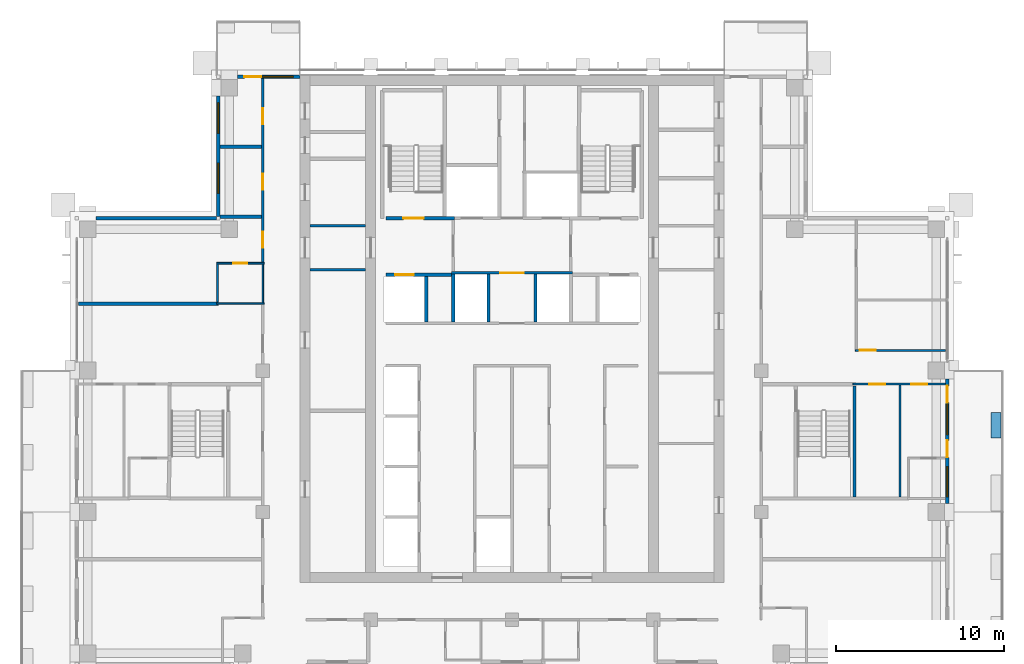
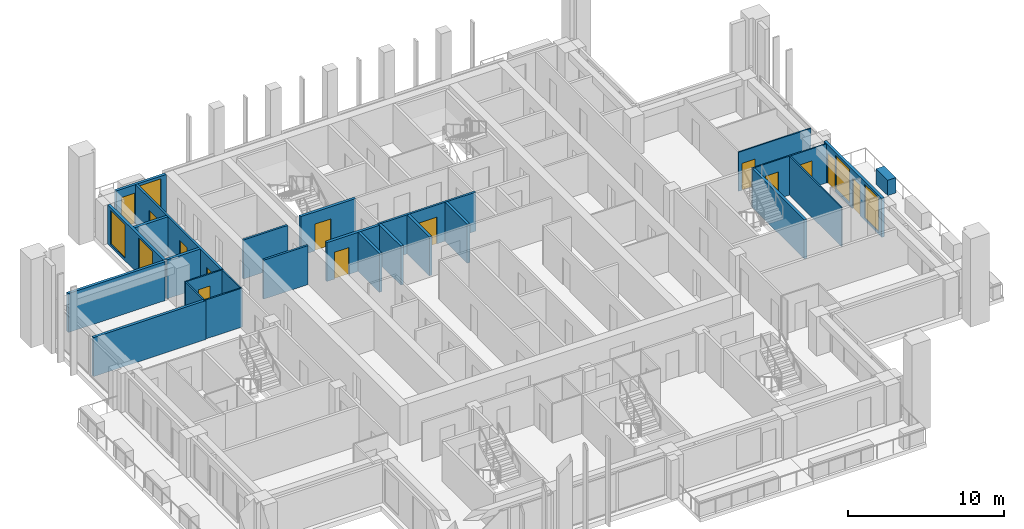
# One storey, part 12 of 18: 26 walls, 13 doors, 5 windows, 18 openings.
"""IFC4 building model written with IfcOpenShell, lengths in metres."""

from ifc_helpers import new_model, si_unit, direction, frame, frame_2d, origin, place, context, subcontext, project, spatial, rectangle, extrude, material, layer, layer_set, type_object, element, fill, save


model = new_model("IFC4")

# Units and contexts
model_context = context("Model", 3, precision=1e-05, world=origin(), true_north=direction((0.0, 1.0)))
body_context = subcontext(model_context, "Body", "Model", "MODEL_VIEW")
ifc_project = project(units=[si_unit("LENGTHUNIT", "METRE"), si_unit("AREAUNIT", "SQUARE_METRE"), si_unit("VOLUMEUNIT", "CUBIC_METRE"), si_unit("PLANEANGLEUNIT", "RADIAN"), si_unit("MASSUNIT", "GRAM", prefix="KILO")], contexts=[model_context])

# Site, building, storey
site_placement = place(None, origin())
site = spatial("IfcSite", under=ifc_project, at=site_placement, CompositionType="ELEMENT")
building_placement = place(site_placement, origin())
building = spatial("IfcBuilding", under=site, at=building_placement, Name="Vermilion Ogive Tower", CompositionType="ELEMENT")
storey_placement = place(building_placement, frame((0.0, 0.0, 199.699951171875)))
storey = spatial("IfcBuildingStorey", under=building, at=storey_placement, Name="L52", CompositionType="ELEMENT", Elevation=199.699951171875)

# Wall
ifc_material_1 = material(Name="Gypsum board partition on steel studs", Category="steel")
ifc_layer_1 = layer(ifc_material_1, 0.10009765625)
ifc_layer_set_1 = layer_set([ifc_layer_1], Name="Partition 100 bath")
wall_type_1 = type_object("IfcWallType", Name="Partition 100 bath", PredefinedType="PARTITIONING", material=ifc_layer_set_1)
wall_1_placement = place(storey_placement, frame((-17.550048828125, 8.179931640625, 0.0), z_axis=(0.0, 0.0, 1.0), x_axis=(1.0, 0.0, 0.0)))
element("IfcWall", 1, at=wall_1_placement, inside=storey, type_object=wall_type_1, Name="L52-W-W029", PredefinedType="PARTITIONING", context=body_context, shape_type="SweptSolid", body=[
    extrude(rectangle(XDim=2.824951171875, YDim=0.10009765625, at=frame_2d((1.41259765625, 0.0))), origin(), (0.0, 0.0, 1.0), 3.050048828125),
])

# Wall, opening, door
wall_2_placement = place(storey_placement, frame((-17.550048828125, 10.580078125, 0.0), z_axis=(0.0, 0.0, 1.0), x_axis=(1.0, 0.0, 0.0)))
wall_2 = element("IfcWall", 2, at=wall_2_placement, inside=storey, type_object=wall_type_1, Name="L52-W-W031", PredefinedType="PARTITIONING", context=body_context, shape_type="SweptSolid", body=[
    extrude(rectangle(XDim=2.824951171875, YDim=0.10009765625, at=frame_2d((1.41259765625, 0.0))), origin(), (0.0, 0.0, 1.0), 3.050048828125),
])
opening_1_placement = place(wall_2_placement, frame((0.97509765625, 0.0, 0.0)))
opening_1 = element("IfcOpeningElement", 3, at=opening_1_placement, cuts=wall_2, Name="Opening D4G4008", PredefinedType="OPENING", context=body_context, shape_type="SweptSolid", body=[
    extrude(rectangle(XDim=0.85009765625, YDim=2.10009765625, at=frame_2d((0.425048828125, 1.050048828125))), frame((0.0, 0.06005859375, 0.0), z_axis=(0.0, -1.0, 0.0), x_axis=(1.0, 0.0, 0.0)), (0.0, 0.0, 1.0), 0.1201171875),
])
ifc_material_2 = material(Name="Timber door leaf", Category="wood")
door_type_1 = type_object("IfcDoorType", Name="Bath door 850 x 2100 FD30", OperationType="SINGLE_SWING_LEFT", PredefinedType="DOOR", material=ifc_material_2)
door_1_placement = place(opening_1_placement, origin())
door_1 = element("IfcDoor", 4, at=door_1_placement, inside=storey, type_object=door_type_1, Name="L52-D-D008", OperationType="SINGLE_SWING_RIGHT", OverallHeight=2.10009765625, OverallWidth=0.85009765625, PredefinedType="DOOR", context=body_context, shape_type="SweptSolid", body=[
    extrude(rectangle(XDim=0.85009765625, YDim=2.10009765625, at=frame_2d((0.425048828125, 1.050048828125))), frame((0.0, 0.02490234375, 0.0), z_axis=(0.0, -1.0, 0.0), x_axis=(1.0, 0.0, 0.0)), (0.0, 0.0, 1.0), 0.050048828125),
])
fill(opening_1, door_1)

# Walls
wall_3_placement = place(storey_placement, frame((-17.5, 8.280029296875, 0.0), z_axis=(0.0, 0.0, 1.0), x_axis=(0.0, 1.0, 0.0)))
element("IfcWall", 5, at=wall_3_placement, inside=storey, type_object=wall_type_1, Name="L52-W-W040", PredefinedType="PARTITIONING", context=body_context, shape_type="SweptSolid", body=[
    extrude(rectangle(XDim=2.25, YDim=0.10009765625, at=frame_2d((1.125, 0.0))), origin(), (0.0, 0.0, 1.0), 3.050048828125),
])
wall_4_placement = place(storey_placement, frame((-14.800048828125, 8.22998046875, 0.0), z_axis=(0.0, 0.0, 1.0), x_axis=(0.0, 1.0, 0.0)))
element("IfcWall", 6, at=wall_4_placement, inside=storey, type_object=wall_type_1, Name="L52-W-W044", PredefinedType="PARTITIONING", context=body_context, shape_type="SweptSolid", body=[
    extrude(rectangle(XDim=2.300048828125, YDim=0.10009765625, at=frame_2d((1.14990234375, 0.0))), origin(), (0.0, 0.0, 1.0), 3.050048828125),
])

# Wall, openings, doors
ifc_material_3 = material(Name="Gypsum board partition on steel studs", Category="steel")
ifc_layer_2 = layer(ifc_material_3, 0.10009765625)
ifc_layer_set_2 = layer_set([ifc_layer_2], Name="Partition 100 inner")
wall_type_2 = type_object("IfcWallType", Name="Partition 100 inner", PredefinedType="PARTITIONING", material=ifc_layer_set_2)
wall_5_placement = place(storey_placement, frame((20.25, 3.39990234375, 0.0), z_axis=(0.0, 0.0, 1.0), x_axis=(1.0, 0.0, 0.0)))
wall_5 = element("IfcWall", 7, at=wall_5_placement, inside=storey, type_object=wall_type_2, Name="L52-W-W026", PredefinedType="PARTITIONING", context=body_context, shape_type="SweptSolid", body=[
    extrude(rectangle(XDim=5.5, YDim=0.10009765625, at=frame_2d((2.75, 0.0))), origin(), (0.0, 0.0, 1.0), 3.050048828125),
])
opening_2_placement = place(wall_5_placement, frame((3.474853515625, 0.0, 0.0)))
opening_2 = element("IfcOpeningElement", 8, at=opening_2_placement, cuts=wall_5, Name="Opening D4G4017", PredefinedType="OPENING", context=body_context, shape_type="SweptSolid", body=[
    extrude(rectangle(XDim=0.949951171875, YDim=2.10009765625, at=frame_2d((0.47509765625, 1.050048828125))), frame((0.0, 0.06005859375, 0.0), z_axis=(0.0, -1.0, 0.0), x_axis=(1.0, 0.0, 0.0)), (0.0, 0.0, 1.0), 0.1201171875),
])
opening_3_placement = place(wall_5_placement, frame((0.97509765625, 0.0, 0.0)))
opening_3 = element("IfcOpeningElement", 9, at=opening_3_placement, cuts=wall_5, Name="Opening D4G4021", PredefinedType="OPENING", context=body_context, shape_type="SweptSolid", body=[
    extrude(rectangle(XDim=0.949951171875, YDim=2.10009765625, at=frame_2d((0.47509765625, 1.050048828125))), frame((0.0, 0.06005859375, 0.0), z_axis=(0.0, -1.0, 0.0), x_axis=(1.0, 0.0, 0.0)), (0.0, 0.0, 1.0), 0.1201171875),
])
ifc_material_4 = material(Name="Timber door leaf", Category="wood")
door_type_2 = type_object("IfcDoorType", Name="Inner door 950 x 2100 FD30", OperationType="SINGLE_SWING_LEFT", PredefinedType="DOOR", material=ifc_material_4)
door_2_placement = place(opening_2_placement, origin())
door_2 = element("IfcDoor", 10, at=door_2_placement, inside=storey, type_object=door_type_2, Name="L52-D-D017", OperationType="SINGLE_SWING_RIGHT", OverallHeight=2.10009765625, OverallWidth=0.949951171875, PredefinedType="DOOR", context=body_context, shape_type="SweptSolid", body=[
    extrude(rectangle(XDim=0.949951171875, YDim=2.10009765625, at=frame_2d((0.47509765625, 1.050048828125))), frame((0.0, 0.02490234375, 0.0), z_axis=(0.0, -1.0, 0.0), x_axis=(1.0, 0.0, 0.0)), (0.0, 0.0, 1.0), 0.050048828125),
])
fill(opening_2, door_2)
door_3_placement = place(opening_3_placement, origin())
door_3 = element("IfcDoor", 11, at=door_3_placement, inside=storey, type_object=door_type_2, Name="L52-D-D021", OperationType="SINGLE_SWING_RIGHT", OverallHeight=2.10009765625, OverallWidth=0.949951171875, PredefinedType="DOOR", context=body_context, shape_type="SweptSolid", body=[
    extrude(rectangle(XDim=0.949951171875, YDim=2.10009765625, at=frame_2d((0.47509765625, 1.050048828125))), frame((0.0, 0.02490234375, 0.0), z_axis=(0.0, -1.0, 0.0), x_axis=(1.0, 0.0, 0.0)), (0.0, 0.0, 1.0), 0.050048828125),
])
fill(opening_3, door_3)

# Wall, opening, door
wall_6_placement = place(storey_placement, frame((20.39990234375, 5.39990234375, 0.0), z_axis=(0.0, 0.0, 1.0), x_axis=(1.0, 0.0, 0.0)))
wall_6 = element("IfcWall", 12, at=wall_6_placement, inside=storey, type_object=wall_type_2, Name="L52-W-W027", PredefinedType="PARTITIONING", context=body_context, shape_type="SweptSolid", body=[
    extrude(rectangle(XDim=5.35009765625, YDim=0.10009765625, at=frame_2d((2.675048828125, 0.0))), origin(), (0.0, 0.0, 1.0), 3.050048828125),
])
opening_4_placement = place(wall_6_placement, frame((0.25, 0.0, 0.0)))
opening_4 = element("IfcOpeningElement", 13, at=opening_4_placement, cuts=wall_6, Name="Opening D4G4018", PredefinedType="OPENING", context=body_context, shape_type="SweptSolid", body=[
    extrude(rectangle(XDim=0.949951171875, YDim=2.10009765625, at=frame_2d((0.47509765625, 1.050048828125))), frame((0.0, 0.06005859375, 0.0), z_axis=(0.0, -1.0, 0.0), x_axis=(1.0, 0.0, 0.0)), (0.0, 0.0, 1.0), 0.1201171875),
])
door_4_placement = place(opening_4_placement, origin())
door_4 = element("IfcDoor", 14, at=door_4_placement, inside=storey, type_object=door_type_2, Name="L52-D-D018", OperationType="SINGLE_SWING_LEFT", OverallHeight=2.10009765625, OverallWidth=0.949951171875, PredefinedType="DOOR", context=body_context, shape_type="SweptSolid", body=[
    extrude(rectangle(XDim=0.949951171875, YDim=2.10009765625, at=frame_2d((0.47509765625, 1.050048828125))), frame((0.0, 0.02490234375, 0.0), z_axis=(0.0, -1.0, 0.0), x_axis=(1.0, 0.0, 0.0)), (0.0, 0.0, 1.0), 0.050048828125),
])
fill(opening_4, door_4)

# Wall
wall_7_placement = place(storey_placement, frame((23.050048828125, -3.300048828125, 0.0), z_axis=(0.0, 0.0, 1.0), x_axis=(0.0, 1.0, 0.0)))
element("IfcWall", 15, at=wall_7_placement, inside=storey, type_object=wall_type_2, Name="L52-W-W061", PredefinedType="PARTITIONING", context=body_context, shape_type="SweptSolid", body=[
    extrude(rectangle(XDim=6.650146484375, YDim=0.10009765625, at=frame_2d((3.3251953125, 0.0))), origin(), (0.0, 0.0, 1.0), 3.050048828125),
])

# Wall, openings, doors
ifc_material_5 = material(Name="Gypsum board partition on steel studs", Category="steel")
ifc_layer_3 = layer(ifc_material_5, 0.14990234375)
ifc_layer_set_3 = layer_set([ifc_layer_3], Name="Partition 150 corridor")
wall_type_3 = type_object("IfcWallType", Name="Partition 150 corridor", PredefinedType="PARTITIONING", material=ifc_layer_set_3)
wall_8_placement = place(storey_placement, frame((-14.800048828125, 10.6298828125, 0.0), z_axis=(0.0, 0.0, 1.0), x_axis=(0.0, 1.0, 0.0)))
wall_8 = element("IfcWall", 16, at=wall_8_placement, inside=storey, type_object=wall_type_3, Name="L52-W-W045", PredefinedType="PARTITIONING", context=body_context, shape_type="SweptSolid", body=[
    extrude(rectangle(XDim=10.920166015625, YDim=0.14990234375, at=frame_2d((5.4599609375, 0.0))), origin(), (0.0, 0.0, 1.0), 3.050048828125),
])
opening_5_placement = place(wall_8_placement, frame((0.860107421875, 0.0, 0.0)))
opening_5 = element("IfcOpeningElement", 17, at=opening_5_placement, cuts=wall_8, Name="Opening D4G4007", PredefinedType="OPENING", context=body_context, shape_type="SweptSolid", body=[
    extrude(rectangle(XDim=0.949951171875, YDim=2.10009765625, at=frame_2d((0.47509765625, 1.050048828125))), frame((0.0, 0.0849609375, 0.0), z_axis=(0.0, -1.0, 0.0), x_axis=(1.0, 0.0, 0.0)), (0.0, 0.0, 1.0), 0.169921875),
])
opening_6_placement = place(wall_8_placement, frame((4.320068359375, 0.0, 0.0)))
opening_6 = element("IfcOpeningElement", 18, at=opening_6_placement, cuts=wall_8, Name="Opening D4G4009", PredefinedType="OPENING", context=body_context, shape_type="SweptSolid", body=[
    extrude(rectangle(XDim=0.949951171875, YDim=2.10009765625, at=frame_2d((0.47509765625, 1.050048828125))), frame((0.0, 0.0849609375, 0.0), z_axis=(0.0, -1.0, 0.0), x_axis=(1.0, 0.0, 0.0)), (0.0, 0.0, 1.0), 0.169921875),
])
opening_7_placement = place(wall_8_placement, frame((8.22021484375, 0.0, 0.0)))
opening_7 = element("IfcOpeningElement", 19, at=opening_7_placement, cuts=wall_8, Name="Opening D4G4010", PredefinedType="OPENING", context=body_context, shape_type="SweptSolid", body=[
    extrude(rectangle(XDim=0.949951171875, YDim=2.10009765625, at=frame_2d((0.47509765625, 1.050048828125))), frame((0.0, 0.0849609375, 0.0), z_axis=(0.0, -1.0, 0.0), x_axis=(1.0, 0.0, 0.0)), (0.0, 0.0, 1.0), 0.169921875),
])
ifc_material_6 = material(Name="Timber door leaf", Category="wood")
door_type_3 = type_object("IfcDoorType", Name="Unit door 950 x 2100 FD30S", OperationType="SINGLE_SWING_LEFT", PredefinedType="DOOR", material=ifc_material_6)
door_5_placement = place(opening_5_placement, origin())
door_5 = element("IfcDoor", 20, at=door_5_placement, inside=storey, type_object=door_type_3, Name="L52-D-D007", OperationType="SINGLE_SWING_LEFT", OverallHeight=2.10009765625, OverallWidth=0.949951171875, PredefinedType="DOOR", context=body_context, shape_type="SweptSolid", body=[
    extrude(rectangle(XDim=0.949951171875, YDim=2.10009765625, at=frame_2d((0.47509765625, 1.050048828125))), frame((0.0, 0.02490234375, 0.0), z_axis=(0.0, -1.0, 0.0), x_axis=(1.0, 0.0, 0.0)), (0.0, 0.0, 1.0), 0.050048828125),
])
fill(opening_5, door_5)
door_6_placement = place(opening_6_placement, origin())
door_6 = element("IfcDoor", 21, at=door_6_placement, inside=storey, type_object=door_type_3, Name="L52-D-D009", OperationType="SINGLE_SWING_LEFT", OverallHeight=2.10009765625, OverallWidth=0.949951171875, PredefinedType="DOOR", context=body_context, shape_type="SweptSolid", body=[
    extrude(rectangle(XDim=0.949951171875, YDim=2.10009765625, at=frame_2d((0.47509765625, 1.050048828125))), frame((0.0, 0.02490234375, 0.0), z_axis=(0.0, -1.0, 0.0), x_axis=(1.0, 0.0, 0.0)), (0.0, 0.0, 1.0), 0.050048828125),
])
fill(opening_6, door_6)
door_7_placement = place(opening_7_placement, origin())
door_7 = element("IfcDoor", 22, at=door_7_placement, inside=storey, type_object=door_type_3, Name="L52-D-D010", OperationType="SINGLE_SWING_RIGHT", OverallHeight=2.10009765625, OverallWidth=0.949951171875, PredefinedType="DOOR", context=body_context, shape_type="SweptSolid", body=[
    extrude(rectangle(XDim=0.949951171875, YDim=2.10009765625, at=frame_2d((0.47509765625, 1.050048828125))), frame((0.0, 0.02490234375, 0.0), z_axis=(0.0, -1.0, 0.0), x_axis=(1.0, 0.0, 0.0)), (0.0, 0.0, 1.0), 0.050048828125),
])
fill(opening_7, door_7)

# Wall, opening, door
wall_9_placement = place(storey_placement, frame((-3.60009765625, 10.0, 0.0), z_axis=(0.0, 0.0, 1.0), x_axis=(1.0, 0.0, 0.0)))
wall_9 = element("IfcWall", 23, at=wall_9_placement, inside=storey, type_object=wall_type_3, Name="L52-CK-W-W013", PredefinedType="PARTITIONING", context=body_context, shape_type="SweptSolid", body=[
    extrude(rectangle(XDim=7.2001953125, YDim=0.14990234375, at=frame_2d((3.60009765625, 0.0))), origin(), (0.0, 0.0, 1.0), 3.050048828125),
])
opening_8_placement = place(wall_9_placement, frame((2.900146484375, 0.0, 0.0)))
opening_8 = element("IfcOpeningElement", 24, at=opening_8_placement, cuts=wall_9, Name="Opening DAA470", PredefinedType="OPENING", context=body_context, shape_type="SweptSolid", body=[
    extrude(rectangle(XDim=1.39990234375, YDim=2.10009765625, at=frame_2d((0.699951171875, 1.050048828125))), frame((0.0, 0.0849609375, 0.0), z_axis=(0.0, -1.0, 0.0), x_axis=(1.0, 0.0, 0.0)), (0.0, 0.0, 1.0), 0.169921875),
])
ifc_material_7 = material(Name="Timber door leaf", Category="wood")
door_type_4 = type_object("IfcDoorType", Name="Lobby door 1400 x 2100 FD60S", OperationType="SINGLE_SWING_LEFT", PredefinedType="DOOR", material=ifc_material_7)
door_8_placement = place(opening_8_placement, origin())
door_8 = element("IfcDoor", 25, at=door_8_placement, inside=storey, type_object=door_type_4, Name="L52-CK-D-D016", OperationType="SINGLE_SWING_RIGHT", OverallHeight=2.10009765625, OverallWidth=1.39990234375, PredefinedType="DOOR", context=body_context, shape_type="SweptSolid", body=[
    extrude(rectangle(XDim=1.39990234375, YDim=2.10009765625, at=frame_2d((0.699951171875, 1.050048828125))), frame((0.0, 0.02490234375, 0.0), z_axis=(0.0, -1.0, 0.0), x_axis=(1.0, 0.0, 0.0)), (0.0, 0.0, 1.0), 0.050048828125),
])
fill(opening_8, door_8)

# Walls
for number, where, z_axis, x_axis, name in (
    (26, (-11.9990234375, 10.199951171875, 0.0), (0.0, 0.0, 1.0), (1.0, 0.0, 0.0), "L52-CKW-W-W002"),
    (27, (-11.9990234375, 12.800048828125, 0.0), (0.0, 0.0, 1.0), (1.0, 0.0, 0.0), "L52-CKW-W-W003"),
):
    element("IfcWall", number, at=place(storey_placement, frame(where, z_axis=z_axis, x_axis=x_axis)), inside=storey, type_object=wall_type_3, Name=name, PredefinedType="PARTITIONING", context=body_context, shape_type="SweptSolid", body=[
        extrude(rectangle(XDim=3.298095703125, YDim=0.14990234375, at=frame_2d((1.64892578125, 0.0))), origin(), (0.0, 0.0, 1.0), 3.050048828125),
    ])
ifc_material_8 = material(Name="Gypsum board partition on steel studs", Category="steel")
ifc_layer_4 = layer(ifc_material_8, 0.199951171875)
ifc_layer_set_4 = layer_set([ifc_layer_4], Name="Partition 200 party")
wall_type_4 = type_object("IfcWallType", Name="Partition 200 party", PredefinedType="PARTITIONING", material=ifc_layer_set_4)
wall_10_placement = place(storey_placement, frame((-25.75, 8.179931640625, 0.0), z_axis=(0.0, 0.0, 1.0), x_axis=(1.0, 0.0, 0.0)))
element("IfcWall", 28, at=wall_10_placement, inside=storey, type_object=wall_type_4, Name="L52-W-W028", PredefinedType="PARTITIONING", context=body_context, shape_type="SweptSolid", body=[
    extrude(rectangle(XDim=8.300048828125, YDim=0.199951171875, at=frame_2d((4.14990234375, 0.0))), origin(), (0.0, 0.0, 1.0), 3.050048828125),
])
for number, where, z_axis, x_axis, name in (
    (29, (-17.35009765625, 13.35009765625, 0.0), (0.0, 0.0, 1.0), (1.0, 0.0, 0.0), "L52-W-W032"),
    (30, (-17.35009765625, 17.5, 0.0), (0.0, 0.0, 1.0), (1.0, 0.0, 0.0), "L52-W-W034"),
):
    element("IfcWall", number, at=place(storey_placement, frame(where, z_axis=z_axis, x_axis=x_axis)), inside=storey, type_object=wall_type_4, Name=name, PredefinedType="PARTITIONING", context=body_context, shape_type="SweptSolid", body=[
        extrude(rectangle(XDim=2.47509765625, YDim=0.199951171875, at=frame_2d((1.237548828125, 0.0))), origin(), (0.0, 0.0, 1.0), 3.050048828125),
    ])

# Wall, opening, door
wall_11_placement = place(storey_placement, frame((-7.5, 9.89990234375, 0.0), z_axis=(0.0, 0.0, 1.0), x_axis=(1.0, 0.0, 0.0)))
wall_11 = element("IfcWall", 31, at=wall_11_placement, inside=storey, type_object=wall_type_4, Name="L52-CK-W-W011", PredefinedType="PARTITIONING", context=body_context, shape_type="SweptSolid", body=[
    extrude(rectangle(XDim=3.89990234375, YDim=0.199951171875, at=frame_2d((1.949951171875, 0.0))), origin(), (0.0, 0.0, 1.0), 3.050048828125),
])
opening_9_placement = place(wall_11_placement, frame((0.550048828125, 0.0, 0.0)))
opening_9 = element("IfcOpeningElement", 32, at=opening_9_placement, cuts=wall_11, Name="Opening DAA486", PredefinedType="OPENING", context=body_context, shape_type="SweptSolid", body=[
    extrude(rectangle(XDim=1.10009765625, YDim=2.10009765625, at=frame_2d((0.550048828125, 1.050048828125))), frame((0.0, 0.10986328125, 0.0), z_axis=(0.0, -1.0, 0.0), x_axis=(1.0, 0.0, 0.0)), (0.0, 0.0, 1.0), 0.219970703125),
])
ifc_material_9 = material(Name="Stainless steel", Category="steel")
door_type_5 = type_object("IfcDoorType", Name="Lift landing door 1100 x 2100", OperationType="SLIDING_TO_LEFT", PredefinedType="DOOR", material=ifc_material_9)
door_9_placement = place(opening_9_placement, origin())
door_9 = element("IfcDoor", 33, at=door_9_placement, inside=storey, type_object=door_type_5, Name="L52-CK-D-D012", OperationType="SLIDING_TO_RIGHT", OverallHeight=2.10009765625, OverallWidth=1.10009765625, PredefinedType="DOOR", context=body_context, shape_type="SweptSolid", body=[
    extrude(rectangle(XDim=1.10009765625, YDim=2.10009765625, at=frame_2d((0.550048828125, 1.050048828125))), frame((0.0, 0.02490234375, 0.0), z_axis=(0.0, -1.0, 0.0), x_axis=(1.0, 0.0, 0.0)), (0.0, 0.0, 1.0), 0.050048828125),
])
fill(opening_9, door_9)

# Walls
wall_12_placement = place(storey_placement, frame((-5.10009765625, 7.074951171875, 0.0), z_axis=(0.0, 0.0, 1.0), x_axis=(0.0, 1.0, 0.0)))
element("IfcWall", 34, at=wall_12_placement, inside=storey, type_object=wall_type_4, Name="L52-CK-W-W020", PredefinedType="PARTITIONING", context=body_context, shape_type="SweptSolid", body=[
    extrude(rectangle(XDim=2.72509765625, YDim=0.199951171875, at=frame_2d((1.362548828125, 0.0))), origin(), (0.0, 0.0, 1.0), 3.050048828125),
])
for number, where, z_axis, x_axis, name in (
    (35, (-3.5, 7.074951171875, 0.0), (0.0, 0.0, 1.0), (0.0, 1.0, 0.0), "L52-CK-W-W022"),
    (36, (-1.39990234375, 7.074951171875, 0.0), (0.0, 0.0, 1.0), (0.0, 1.0, 0.0), "L52-CK-W-W025"),
    (37, (1.39990234375, 7.074951171875, 0.0), (0.0, 0.0, 1.0), (0.0, 1.0, 0.0), "L52-CK-W-W030"),
):
    element("IfcWall", number, at=place(storey_placement, frame(where, z_axis=z_axis, x_axis=x_axis)), inside=storey, type_object=wall_type_4, Name=name, PredefinedType="PARTITIONING", context=body_context, shape_type="SweptSolid", body=[
        extrude(rectangle(XDim=2.85009765625, YDim=0.199951171875, at=frame_2d((1.425048828125, 0.0))), origin(), (0.0, 0.0, 1.0), 3.050048828125),
    ])

# Wall, opening, door
ifc_material_10 = material(Name="Concrete B60", Category="concrete")
ifc_layer_5 = layer(ifc_material_10, 0.199951171875)
ifc_layer_set_5 = layer_set([ifc_layer_5], Name="Stair shaft wall 200 Concrete B60")
wall_type_5 = type_object("IfcWallType", Name="Stair shaft wall 200 Concrete B60", PredefinedType="SOLIDWALL", material=ifc_layer_set_5)
wall_13_placement = place(storey_placement, frame((-7.5, 13.25, 0.0), z_axis=(0.0, 0.0, 1.0), x_axis=(1.0, 0.0, 0.0)))
wall_13 = element("IfcWall", 38, at=wall_13_placement, inside=storey, type_object=wall_type_5, Name="L52-CK-W-W014", PredefinedType="SOLIDWALL", context=body_context, shape_type="SweptSolid", body=[
    extrude(rectangle(XDim=4.074951171875, YDim=0.199951171875, at=frame_2d((2.03759765625, 0.0))), origin(), (0.0, 0.0, 1.0), 3.050048828125),
])
opening_10_placement = place(wall_13_placement, frame((1.050048828125, 0.0, 0.0)))
opening_10 = element("IfcOpeningElement", 39, at=opening_10_placement, cuts=wall_13, Name="Opening DAA479", PredefinedType="OPENING", context=body_context, shape_type="SweptSolid", body=[
    extrude(rectangle(XDim=1.199951171875, YDim=2.10009765625, at=frame_2d((0.60009765625, 1.050048828125))), frame((0.0, 0.10986328125, 0.0), z_axis=(0.0, -1.0, 0.0), x_axis=(1.0, 0.0, 0.0)), (0.0, 0.0, 1.0), 0.219970703125),
])
ifc_material_11 = material(Name="Timber door leaf", Category="wood")
door_type_6 = type_object("IfcDoorType", Name="Stair door 1200 x 2100 FD60S", OperationType="SINGLE_SWING_LEFT", PredefinedType="DOOR", material=ifc_material_11)
door_10_placement = place(opening_10_placement, origin())
door_10 = element("IfcDoor", 40, at=door_10_placement, inside=storey, type_object=door_type_6, Name="L52-CK-D-D011", OperationType="SINGLE_SWING_LEFT", OverallHeight=2.10009765625, OverallWidth=1.199951171875, PredefinedType="DOOR", context=body_context, shape_type="SweptSolid", body=[
    extrude(rectangle(XDim=1.199951171875, YDim=2.10009765625, at=frame_2d((0.60009765625, 1.050048828125))), frame((0.0, 0.02490234375, 0.0), z_axis=(0.0, -1.0, 0.0), x_axis=(1.0, 0.0, 0.0)), (0.0, 0.0, 1.0), 0.050048828125),
])
fill(opening_10, door_10)

# Walls
wall_14_placement = place(storey_placement, frame((20.35009765625, -3.300048828125, 0.0), z_axis=(0.0, 0.0, 1.0), x_axis=(0.0, 1.0, 0.0)))
element("IfcWall", 41, at=wall_14_placement, inside=storey, type_object=wall_type_5, Name="L52-W-W059-A", PredefinedType="SOLIDWALL", context=body_context, shape_type="SweptSolid", body=[
    extrude(rectangle(XDim=6.60009765625, YDim=0.199951171875, at=frame_2d((3.300048828125, 0.0))), origin(), (0.0, 0.0, 1.0), 3.050048828125),
])
ifc_material_12 = material(Name="Concrete B40", Category="concrete")
ifc_layer_6 = layer(ifc_material_12, 0.60009765625)
ifc_layer_set_6 = layer_set([ifc_layer_6], Name="Structural planter")
wall_type_6 = type_object("IfcWallType", Name="Structural planter", PredefinedType="USERDEFINED", material=ifc_layer_set_6)
wall_15_placement = place(storey_placement, frame((28.75, 0.199951171875, -0.0400390625), z_axis=(0.0, 0.0, 1.0), x_axis=(0.0, 1.0, 0.0)))
element("IfcWall", 42, at=wall_15_placement, inside=storey, type_object=wall_type_6, Name="Planter E02A2", ObjectType="PLANTER", PredefinedType="USERDEFINED", context=body_context, shape_type="SweptSolid", body=[
    extrude(rectangle(XDim=1.5, YDim=0.60009765625, at=frame_2d((0.75, 0.0))), origin(), (0.0, 0.0, 1.0), 1.2001953125),
])

# Wall, openings, doors, windows
ifc_material_13 = material(Name="Aluminium window wall framing", Category="aluminium")
ifc_layer_7 = layer(ifc_material_13, 0.199951171875)
ifc_layer_set_7 = layer_set([ifc_layer_7], Name="Window wall")
wall_type_7 = type_object("IfcWallType", Name="Window wall", PredefinedType="STANDARD", material=ifc_layer_set_7)
wall_16_placement = place(storey_placement, frame((25.85009765625, -3.699951171875, 0.0), z_axis=(0.0, 0.0, 1.0), x_axis=(0.0, 1.0, 0.0)))
wall_16 = element("IfcWall", 43, at=wall_16_placement, inside=storey, type_object=wall_type_7, Name="Window wall E2", PredefinedType="STANDARD", context=body_context, shape_type="SweptSolid", body=[
    extrude(rectangle(XDim=7.39990234375, YDim=0.199951171875, at=frame_2d((3.699951171875, 0.0))), origin(), (0.0, 0.0, 1.0), 3.050048828125),
])
opening_11_placement = place(wall_16_placement, frame((0.39990234375, 0.0, 0.199951171875)))
opening_11 = element("IfcOpeningElement", 44, at=opening_11_placement, cuts=wall_16, Name="Opening W1-E99", PredefinedType="OPENING", context=body_context, shape_type="SweptSolid", body=[
    extrude(rectangle(XDim=1.800048828125, YDim=2.64990234375, at=frame_2d((0.89990234375, 1.324951171875))), frame((0.0, 0.10986328125, 0.0), z_axis=(0.0, -1.0, 0.0), x_axis=(1.0, 0.0, 0.0)), (0.0, 0.0, 1.0), 0.219970703125),
])
opening_12_placement = place(wall_16_placement, frame((2.75, 0.0, 0.0)))
opening_12 = element("IfcOpeningElement", 45, at=opening_12_placement, cuts=wall_16, Name="Opening D1-E99", PredefinedType="OPENING", context=body_context, shape_type="SweptSolid", body=[
    extrude(rectangle(XDim=1.0, YDim=2.39990234375, at=frame_2d((0.5, 1.199951171875))), frame((0.0, 0.10986328125, 0.0), z_axis=(0.0, -1.0, 0.0), x_axis=(1.0, 0.0, 0.0)), (0.0, 0.0, 1.0), 0.219970703125),
])
opening_13_placement = place(wall_16_placement, frame((4.10009765625, 0.0, 0.199951171875)))
opening_13 = element("IfcOpeningElement", 46, at=opening_13_placement, cuts=wall_16, Name="Opening W1-E00", PredefinedType="OPENING", context=body_context, shape_type="SweptSolid", body=[
    extrude(rectangle(XDim=1.800048828125, YDim=2.64990234375, at=frame_2d((0.89990234375, 1.324951171875))), frame((0.0, 0.10986328125, 0.0), z_axis=(0.0, -1.0, 0.0), x_axis=(1.0, 0.0, 0.0)), (0.0, 0.0, 1.0), 0.219970703125),
])
opening_14_placement = place(wall_16_placement, frame((6.0, 0.0, 0.0)))
opening_14 = element("IfcOpeningElement", 47, at=opening_14_placement, cuts=wall_16, Name="Opening D1-E00", PredefinedType="OPENING", context=body_context, shape_type="SweptSolid", body=[
    extrude(rectangle(XDim=1.0, YDim=2.39990234375, at=frame_2d((0.5, 1.199951171875))), frame((0.0, 0.10986328125, 0.0), z_axis=(0.0, -1.0, 0.0), x_axis=(1.0, 0.0, 0.0)), (0.0, 0.0, 1.0), 0.219970703125),
])
ifc_material_14 = material(Name="Aluminium framed glazed door", Category="aluminium")
door_type_7 = type_object("IfcDoorType", Name="Balcony door D1", OperationType="SINGLE_SWING_LEFT", PredefinedType="DOOR", material=ifc_material_14)
door_11_placement = place(opening_12_placement, origin())
door_11 = element("IfcDoor", 48, at=door_11_placement, inside=storey, type_object=door_type_7, Name="Balcony door E99", OperationType="SINGLE_SWING_LEFT", OverallHeight=2.39990234375, OverallWidth=1.0, PredefinedType="DOOR", context=body_context, shape_type="SweptSolid", body=[
    extrude(rectangle(XDim=1.0, YDim=2.39990234375, at=frame_2d((0.5, 1.199951171875))), frame((0.0, 0.02490234375, 0.0), z_axis=(0.0, -1.0, 0.0), x_axis=(1.0, 0.0, 0.0)), (0.0, 0.0, 1.0), 0.050048828125),
])
fill(opening_12, door_11)
door_12_placement = place(opening_14_placement, origin())
door_12 = element("IfcDoor", 49, at=door_12_placement, inside=storey, type_object=door_type_7, Name="Balcony door E00", OperationType="SINGLE_SWING_LEFT", OverallHeight=2.39990234375, OverallWidth=1.0, PredefinedType="DOOR", context=body_context, shape_type="SweptSolid", body=[
    extrude(rectangle(XDim=1.0, YDim=2.39990234375, at=frame_2d((0.5, 1.199951171875))), frame((0.0, 0.02490234375, 0.0), z_axis=(0.0, -1.0, 0.0), x_axis=(1.0, 0.0, 0.0)), (0.0, 0.0, 1.0), 0.050048828125),
])
fill(opening_14, door_12)
ifc_material_15 = material(Name="Aluminium framed double glazing", Category="aluminium")
window_type = type_object("IfcWindowType", Name="Guest window W1", PartitioningType="SINGLE_PANEL", PredefinedType="WINDOW", material=ifc_material_15)
window_1_placement = place(opening_11_placement, origin())
window_1 = element("IfcWindow", 50, at=window_1_placement, inside=storey, type_object=window_type, Name="Window E99", OverallHeight=2.64990234375, OverallWidth=1.800048828125, PartitioningType="SINGLE_PANEL", PredefinedType="WINDOW", context=body_context, shape_type="SweptSolid", body=[
    extrude(rectangle(XDim=1.800048828125, YDim=2.64990234375, at=frame_2d((0.89990234375, 1.324951171875))), frame((0.0, 0.030029296875, 0.0), z_axis=(0.0, -1.0, 0.0), x_axis=(1.0, 0.0, 0.0)), (0.0, 0.0, 1.0), 0.06005859375),
])
fill(opening_11, window_1)
window_2_placement = place(opening_13_placement, origin())
window_2 = element("IfcWindow", 51, at=window_2_placement, inside=storey, type_object=window_type, Name="Window E00", OverallHeight=2.64990234375, OverallWidth=1.800048828125, PartitioningType="SINGLE_PANEL", PredefinedType="WINDOW", context=body_context, shape_type="SweptSolid", body=[
    extrude(rectangle(XDim=1.800048828125, YDim=2.64990234375, at=frame_2d((0.89990234375, 1.324951171875))), frame((0.0, 0.030029296875, 0.0), z_axis=(0.0, -1.0, 0.0), x_axis=(1.0, 0.0, 0.0)), (0.0, 0.0, 1.0), 0.06005859375),
])
fill(opening_13, window_2)

# Wall, openings, door, window
wall_17_placement = place(storey_placement, frame((-12.60009765625, 21.64990234375, 0.0), z_axis=(0.0, 0.0, 1.0), x_axis=(-1.0, 0.0, 0.0)))
wall_17 = element("IfcWall", 52, at=wall_17_placement, inside=storey, type_object=wall_type_7, Name="Window wall N21", PredefinedType="STANDARD", context=body_context, shape_type="SweptSolid", body=[
    extrude(rectangle(XDim=3.699951171875, YDim=0.199951171875, at=frame_2d((1.85009765625, 0.0))), origin(), (0.0, 0.0, 1.0), 3.050048828125),
])
opening_15_placement = place(wall_17_placement, frame((0.39990234375, 0.0, 0.199951171875)))
opening_15 = element("IfcOpeningElement", 53, at=opening_15_placement, cuts=wall_17, Name="Opening W1-N296", PredefinedType="OPENING", context=body_context, shape_type="SweptSolid", body=[
    extrude(rectangle(XDim=1.800048828125, YDim=2.64990234375, at=frame_2d((0.89990234375, 1.324951171875))), frame((0.0, 0.10986328125, 0.0), z_axis=(0.0, -1.0, 0.0), x_axis=(1.0, 0.0, 0.0)), (0.0, 0.0, 1.0), 0.219970703125),
])
opening_16_placement = place(wall_17_placement, frame((2.300048828125, 0.0, 0.0)))
opening_16 = element("IfcOpeningElement", 54, at=opening_16_placement, cuts=wall_17, Name="Opening D1-N296", PredefinedType="OPENING", context=body_context, shape_type="SweptSolid", body=[
    extrude(rectangle(XDim=1.0, YDim=2.39990234375, at=frame_2d((0.5, 1.199951171875))), frame((0.0, 0.10986328125, 0.0), z_axis=(0.0, -1.0, 0.0), x_axis=(1.0, 0.0, 0.0)), (0.0, 0.0, 1.0), 0.219970703125),
])
door_13_placement = place(opening_16_placement, origin())
door_13 = element("IfcDoor", 55, at=door_13_placement, inside=storey, type_object=door_type_7, Name="Balcony door N296", OperationType="SINGLE_SWING_LEFT", OverallHeight=2.39990234375, OverallWidth=1.0, PredefinedType="DOOR", context=body_context, shape_type="SweptSolid", body=[
    extrude(rectangle(XDim=1.0, YDim=2.39990234375, at=frame_2d((0.5, 1.199951171875))), frame((0.0, 0.02490234375, 0.0), z_axis=(0.0, -1.0, 0.0), x_axis=(1.0, 0.0, 0.0)), (0.0, 0.0, 1.0), 0.050048828125),
])
fill(opening_16, door_13)
window_3_placement = place(opening_15_placement, origin())
window_3 = element("IfcWindow", 56, at=window_3_placement, inside=storey, type_object=window_type, Name="Window N296", OverallHeight=2.64990234375, OverallWidth=1.800048828125, PartitioningType="SINGLE_PANEL", PredefinedType="WINDOW", context=body_context, shape_type="SweptSolid", body=[
    extrude(rectangle(XDim=1.800048828125, YDim=2.64990234375, at=frame_2d((0.89990234375, 1.324951171875))), frame((0.0, 0.030029296875, 0.0), z_axis=(0.0, -1.0, 0.0), x_axis=(1.0, 0.0, 0.0)), (0.0, 0.0, 1.0), 0.06005859375),
])
fill(opening_15, window_3)

# Wall, openings, windows
wall_18_placement = place(storey_placement, frame((-17.449951171875, 20.5, 0.0), z_axis=(0.0, 0.0, 1.0), x_axis=(0.0, -1.0, 0.0)))
wall_18 = element("IfcWall", 57, at=wall_18_placement, inside=storey, type_object=wall_type_7, Name="Window wall X51", PredefinedType="STANDARD", context=body_context, shape_type="SweptSolid", body=[
    extrude(rectangle(XDim=7.14990234375, YDim=0.199951171875, at=frame_2d((3.574951171875, 0.0))), origin(), (0.0, 0.0, 1.0), 3.050048828125),
])
opening_17_placement = place(wall_18_placement, frame((3.97509765625, 0.0, 0.199951171875)))
opening_17 = element("IfcOpeningElement", 58, at=opening_17_placement, cuts=wall_18, Name="Opening W1-X503", PredefinedType="OPENING", context=body_context, shape_type="SweptSolid", body=[
    extrude(rectangle(XDim=1.800048828125, YDim=2.64990234375, at=frame_2d((0.89990234375, 1.324951171875))), frame((0.0, 0.10986328125, 0.0), z_axis=(0.0, -1.0, 0.0), x_axis=(1.0, 0.0, 0.0)), (0.0, 0.0, 1.0), 0.219970703125),
])
opening_18_placement = place(wall_18_placement, frame((0.39990234375, 0.0, 0.199951171875)))
opening_18 = element("IfcOpeningElement", 59, at=opening_18_placement, cuts=wall_18, Name="Opening W1-X504", PredefinedType="OPENING", context=body_context, shape_type="SweptSolid", body=[
    extrude(rectangle(XDim=1.800048828125, YDim=2.64990234375, at=frame_2d((0.89990234375, 1.324951171875))), frame((0.0, 0.10986328125, 0.0), z_axis=(0.0, -1.0, 0.0), x_axis=(1.0, 0.0, 0.0)), (0.0, 0.0, 1.0), 0.219970703125),
])
window_4_placement = place(opening_17_placement, origin())
window_4 = element("IfcWindow", 60, at=window_4_placement, inside=storey, type_object=window_type, Name="Window X503", OverallHeight=2.64990234375, OverallWidth=1.800048828125, PartitioningType="SINGLE_PANEL", PredefinedType="WINDOW", context=body_context, shape_type="SweptSolid", body=[
    extrude(rectangle(XDim=1.800048828125, YDim=2.64990234375, at=frame_2d((0.89990234375, 1.324951171875))), frame((0.0, 0.030029296875, 0.0), z_axis=(0.0, -1.0, 0.0), x_axis=(1.0, 0.0, 0.0)), (0.0, 0.0, 1.0), 0.06005859375),
])
fill(opening_17, window_4)
window_5_placement = place(opening_18_placement, origin())
window_5 = element("IfcWindow", 61, at=window_5_placement, inside=storey, type_object=window_type, Name="Window X504", OverallHeight=2.64990234375, OverallWidth=1.800048828125, PartitioningType="SINGLE_PANEL", PredefinedType="WINDOW", context=body_context, shape_type="SweptSolid", body=[
    extrude(rectangle(XDim=1.800048828125, YDim=2.64990234375, at=frame_2d((0.89990234375, 1.324951171875))), frame((0.0, 0.030029296875, 0.0), z_axis=(0.0, -1.0, 0.0), x_axis=(1.0, 0.0, 0.0)), (0.0, 0.0, 1.0), 0.06005859375),
])
fill(opening_18, window_5)

# Wall
wall_19_placement = place(storey_placement, frame((-17.550048828125, 13.25, 0.0), z_axis=(0.0, 0.0, 1.0), x_axis=(-1.0, 0.0, 0.0)))
element("IfcWall", 62, at=wall_19_placement, inside=storey, type_object=wall_type_7, Name="Window wall X61", PredefinedType="STANDARD", context=body_context, shape_type="SweptSolid", body=[
    extrude(rectangle(XDim=7.14990234375, YDim=0.199951171875, at=frame_2d((3.574951171875, 0.0))), origin(), (0.0, 0.0, 1.0), 3.050048828125),
])

save(model, "model.ifc")
